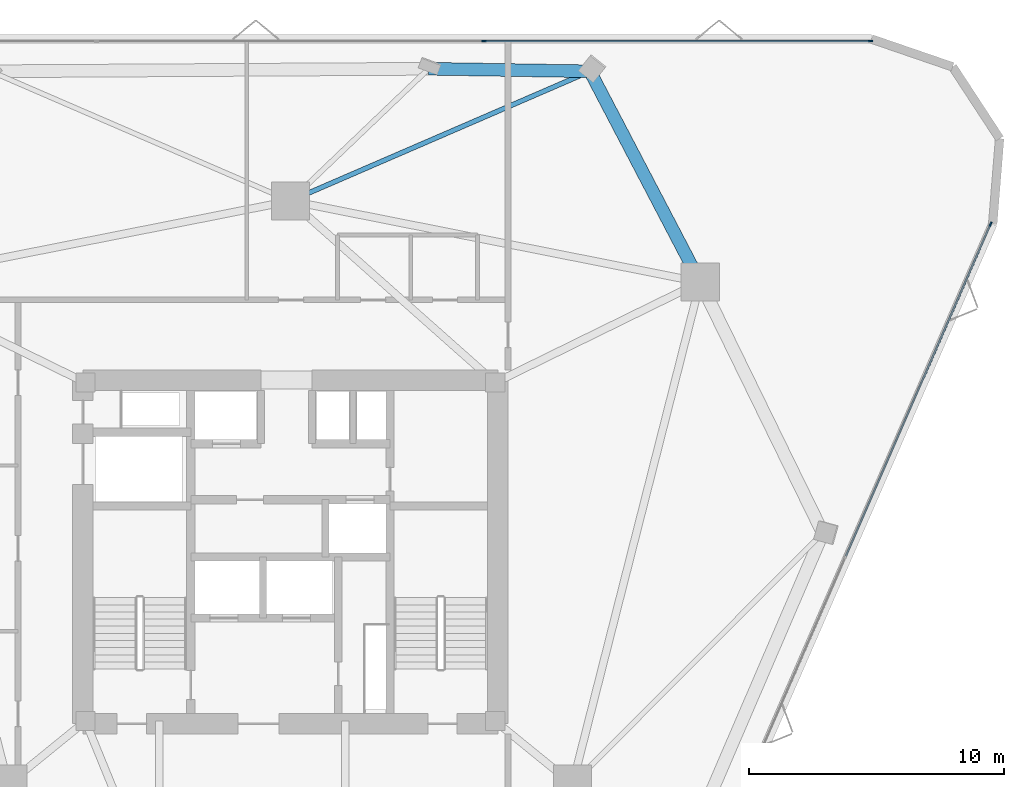
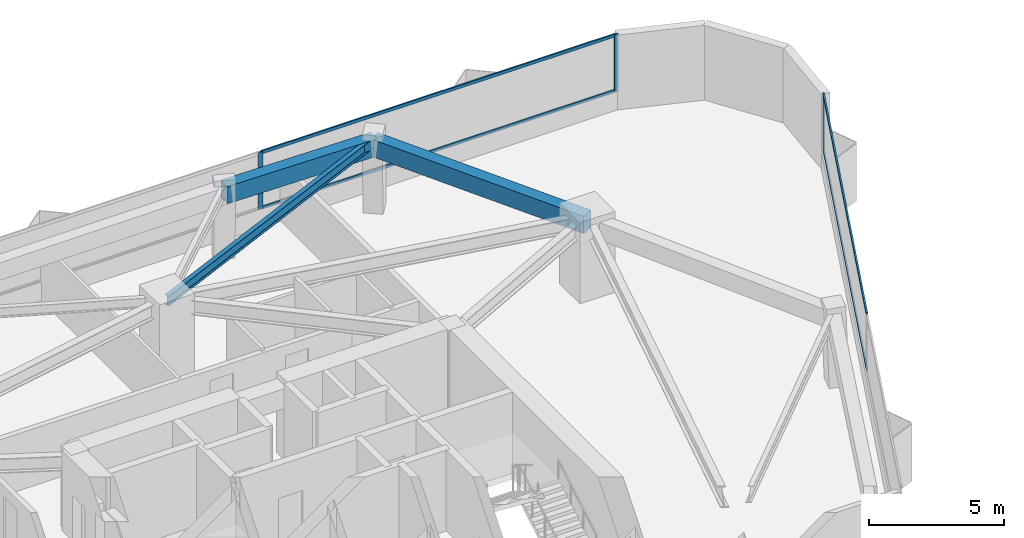
# One storey, part 7 of 11: 7 members, 3 beams, 2 elements without a shape of their own.
"""IFC4 building model written with IfcOpenShell, lengths in metres."""

from ifc_helpers import new_model, si_unit, direction, frame, origin, origin_2d, place, context, subcontext, project, spatial, rectangle, i_section, extrude, material, layer, layer_set, material_profile, profile_set, type_object, element, aggregate, save


model = new_model("IFC4")

# Units and contexts
model_context = context("Model", 3, precision=1e-05, world=origin(), true_north=direction((0.0, 1.0)))
body_context = subcontext(model_context, "Body", "Model", "MODEL_VIEW")
ifc_project = project(units=[si_unit("LENGTHUNIT", "METRE"), si_unit("AREAUNIT", "SQUARE_METRE"), si_unit("VOLUMEUNIT", "CUBIC_METRE"), si_unit("PLANEANGLEUNIT", "RADIAN"), si_unit("MASSUNIT", "GRAM", prefix="KILO")], contexts=[model_context])

# Site, building, storey
site_placement = place(None, origin())
site = spatial("IfcSite", under=ifc_project, at=site_placement, CompositionType="ELEMENT")
building_placement = place(site_placement, origin())
building = spatial("IfcBuilding", under=site, at=building_placement, Name="Talyreon Biosciences Tower", CompositionType="ELEMENT")
storey_placement = place(building_placement, frame((0.0, 0.0, 160.050048828125)))
storey = spatial("IfcBuildingStorey", under=building, at=storey_placement, Name="L42", CompositionType="ELEMENT", Elevation=160.050048828125)

# Curtain wall, members
ifc_material_1 = material(Name="Thermally broken aluminium and low-E glazing", Category="aluminium")
ifc_layer = layer(ifc_material_1, 0.18505859375)
ifc_layer_set = layer_set([ifc_layer], Name="Thermally broken aluminium and low-E glazing")
curtain_wall_type = type_object("IfcCurtainWallType", Name="CurtainWall_Zone3Bioprocess", PredefinedType="NOTDEFINED", material=ifc_layer_set)
curtain_wall_1_placement = place(storey_placement, origin())
curtain_wall_1 = element("IfcCurtainWall", 1, at=curtain_wall_1_placement, inside=storey, type_object=curtain_wall_type, Name="L42 Unitised Curtain Wall FCW-L42-04", PredefinedType="NOTDEFINED")
ifc_material_2 = material(Name="Anodised thermally broken aluminium", Category="aluminium")
ifc_material_profile_1 = material_profile(ifc_material_2, rectangle(XDim=0.06494140625, YDim=0.179931640625, at=origin_2d()), Name="ALUM MULLION 65x180")
ifc_profile_set_1 = profile_set([ifc_material_profile_1], Name="Anodised thermally broken aluminium")
member_type_1 = type_object("IfcMemberType", Name="CWMullion_65x180", PredefinedType="MULLION", material=ifc_profile_set_1)
member_1_placement = place(storey_placement, frame((73.60888671875, 88.072509765625, 0.81005859375), z_axis=(0.0, 0.0, 1.0), x_axis=(0.0, 1.0, 0.0)))
member_1 = element("IfcMember", 2, at=member_1_placement, type_object=member_type_1, Name="CW4 mullion 3", PredefinedType="MULLION", context=body_context, shape_type="SweptSolid", body=[
    extrude(rectangle(XDim=0.06494140625, YDim=0.179931640625, at=origin_2d()), origin(), (0.0, 0.0, 1.0), 2.56494140625),
])
member_2_placement = place(storey_placement, frame((88.79443359375, 88.072509765625, 0.81005859375), z_axis=(0.0, 0.0, 1.0), x_axis=(0.0, 1.0, 0.0)))
member_2 = element("IfcMember", 3, at=member_2_placement, type_object=member_type_1, Name="CW4 mullion 4", PredefinedType="MULLION", context=body_context, shape_type="SweptSolid", body=[
    extrude(rectangle(XDim=0.06494140625, YDim=0.179931640625, at=origin_2d()), origin(), (0.0, 0.0, 1.0), 2.56494140625),
])

# Curtain wall, member
curtain_wall_2_placement = place(storey_placement, origin())
curtain_wall_2 = element("IfcCurtainWall", 4, at=curtain_wall_2_placement, inside=storey, type_object=curtain_wall_type, Name="L42 Unitised Curtain Wall FCW-L42-08", PredefinedType="NOTDEFINED")
member_3_placement = place(storey_placement, frame((93.507568359375, 80.877197265625, 0.81005859375), z_axis=(0.0, 0.0, 1.0), x_axis=(0.916731187474, -0.399504605621, 0.0)))
member_3 = element("IfcMember", 5, at=member_3_placement, type_object=member_type_1, Name="CW4 mullion 1", PredefinedType="MULLION", context=body_context, shape_type="SweptSolid", body=[
    extrude(rectangle(XDim=0.06494140625, YDim=0.179931640625, at=origin_2d()), origin(), (0.0, 0.0, 1.0), 2.56494140625),
])

# Member
ifc_material_profile_2 = material_profile(ifc_material_2, rectangle(XDim=0.06494140625, YDim=0.139892578125, at=origin_2d()), Name="ALUM TRANSOM 65x140")
ifc_profile_set_2 = profile_set([ifc_material_profile_2], Name="Anodised thermally broken aluminium")
member_type_2 = type_object("IfcMemberType", Name="CWTransom_65x140", PredefinedType="USERDEFINED", material=ifc_profile_set_2)
member_4_placement = place(storey_placement, frame((73.641357421875, 88.072509765625, 0.842529296875), z_axis=(1.0, 0.0, 0.0), x_axis=(0.0, 1.0, 0.0)))
member_4 = element("IfcMember", 6, at=member_4_placement, type_object=member_type_2, Name="CW4 transom 3.1", ObjectType="TRANSOM", PredefinedType="USERDEFINED", context=body_context, shape_type="SweptSolid", body=[
    extrude(rectangle(XDim=0.06494140625, YDim=0.139892578125, at=origin_2d()), origin(), (0.0, 0.0, 1.0), 15.12060546875),
])

member_5_placement = place(storey_placement, frame((73.641357421875, 88.072509765625, 3.342529296875), z_axis=(1.0, 0.0, 0.0), x_axis=(0.0, 1.0, 0.0)))
member_5 = element("IfcMember", 7, at=member_5_placement, type_object=member_type_2, Name="CW4 transom 3.2", ObjectType="TRANSOM", PredefinedType="USERDEFINED", context=body_context, shape_type="SweptSolid", body=[
    extrude(rectangle(XDim=0.06494140625, YDim=0.139892578125, at=origin_2d()), origin(), (0.0, 0.0, 1.0), 15.12060546875),
])

aggregate(curtain_wall_1, [member_1, member_2, member_4, member_5])

member_6_placement = place(storey_placement, frame((93.49462890625, 80.847412109375, 0.842529296875), z_axis=(-0.399503101725, -0.916731842859, 0.0), x_axis=(0.916731842859, -0.399503101725, 0.0)))
member_6 = element("IfcMember", 8, at=member_6_placement, type_object=member_type_2, Name="CW4 transom 1.1", ObjectType="TRANSOM", PredefinedType="USERDEFINED", context=body_context, shape_type="SweptSolid", body=[
    extrude(rectangle(XDim=0.06494140625, YDim=0.139892578125, at=origin_2d()), origin(), (0.0, 0.0, 1.0), 14.18701171875),
])

member_7_placement = place(storey_placement, frame((93.49462890625, 80.847412109375, 3.342529296875), z_axis=(-0.399503101725, -0.916731842859, 0.0), x_axis=(0.916731842859, -0.399503101725, 0.0)))
member_7 = element("IfcMember", 9, at=member_7_placement, type_object=member_type_2, Name="CW4 transom 1.2", ObjectType="TRANSOM", PredefinedType="USERDEFINED", context=body_context, shape_type="SweptSolid", body=[
    extrude(rectangle(XDim=0.06494140625, YDim=0.139892578125, at=origin_2d()), origin(), (0.0, 0.0, 1.0), 14.18701171875),
])

aggregate(curtain_wall_2, [member_3, member_6, member_7])

# Beams
ifc_material_3 = material(Name="Precast concrete C45/55", Category="concrete")
ifc_material_profile_3 = material_profile(ifc_material_3, rectangle(XDim=0.5, YDim=0.780029296875, at=origin_2d()), Name="RCB 500x780")
ifc_profile_set_3 = profile_set([ifc_material_profile_3], Name="Precast concrete C45/55")
beam_type_1 = type_object("IfcBeamType", Name="ExpressedSpandrel_500x780", PredefinedType="SPANDREL", material=ifc_profile_set_3)
beam_1_placement = place(storey_placement, frame((82.102294921875, 78.5986328125, 2.98486328125), z_axis=(-0.463357726352, 0.8861713251, 0.0), x_axis=(-0.8861713251, -0.463357726352, 0.0)))
element("IfcBeam", 10, at=beam_1_placement, inside=storey, type_object=beam_type_1, Name="L42 Expressed Horizontal Concrete Spandrel 05", PredefinedType="SPANDREL", context=body_context, shape_type="SweptSolid", body=[
    extrude(rectangle(XDim=0.5, YDim=0.780029296875, at=origin_2d()), origin(), (0.0, 0.0, 1.0), 9.345458984375),
])
beam_2_placement = place(storey_placement, frame((77.77197265625, 86.88037109375, 2.98486328125), z_axis=(-0.99987595119, 0.015750626407, 0.0), x_axis=(-0.015750626407, -0.99987595119, 0.0)))
element("IfcBeam", 11, at=beam_2_placement, inside=storey, type_object=beam_type_1, Name="L42 Expressed Horizontal Concrete Spandrel 06", PredefinedType="SPANDREL", context=body_context, shape_type="SweptSolid", body=[
    extrude(rectangle(XDim=0.5, YDim=0.780029296875, at=origin_2d()), origin(), (0.0, 0.0, 1.0), 6.339599609375),
])
ifc_material_4 = material(Name="Steel SM355", Category="steel")
ifc_material_profile_4 = material_profile(ifc_material_4, i_section(OverallWidth=0.18994140625, OverallDepth=0.449951171875, WebThickness=0.009521484375, FlangeThickness=0.0146484375, FilletRadius=0.02099609375, at=origin_2d()), Name="IPE450")
ifc_profile_set_4 = profile_set([ifc_material_profile_4], Name="Steel SM355")
beam_type_2 = type_object("IfcBeamType", Name="SteelJoist_IPE450", PredefinedType="JOIST", material=ifc_profile_set_4)
beam_3_placement = place(storey_placement, frame((66.0, 81.788818359375, 3.14990234375), z_axis=(0.917829482787, 0.396974861328, 0.0), x_axis=(-0.396974861328, 0.917829482787, 0.0)))
element("IfcBeam", 12, at=beam_3_placement, inside=storey, type_object=beam_type_2, Name="L42 Radial Composite Floor Joist PC-N1", PredefinedType="JOIST", context=body_context, shape_type="SweptSolid", body=[
    extrude(i_section(OverallWidth=0.18994140625, OverallDepth=0.449951171875, WebThickness=0.009521484375, FlangeThickness=0.0146484375, FilletRadius=0.02099609375, at=origin_2d()), origin(), (0.0, 0.0, 1.0), 12.825927734375),
])

save(model, "model.ifc")
